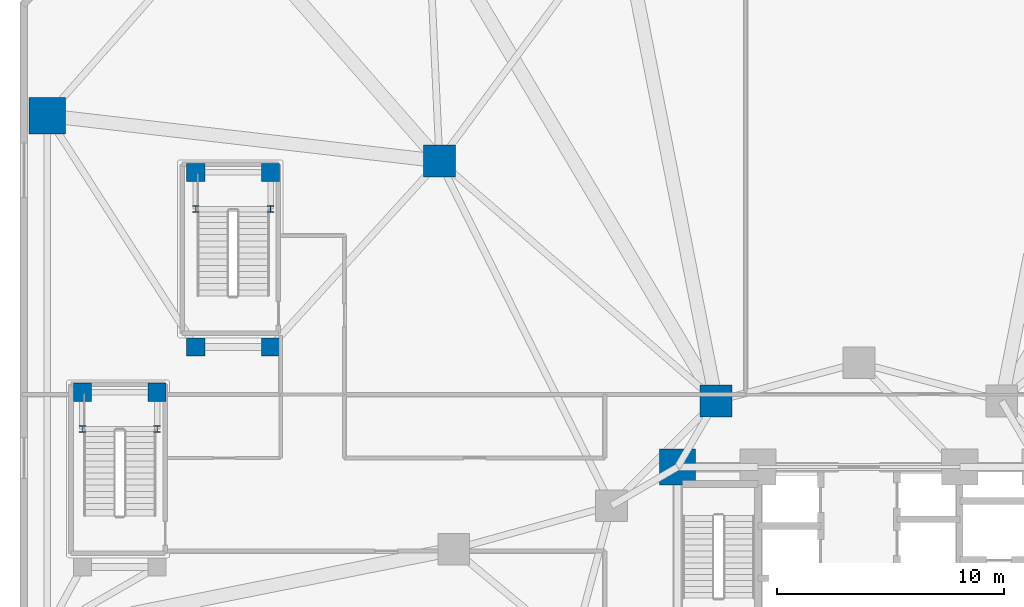
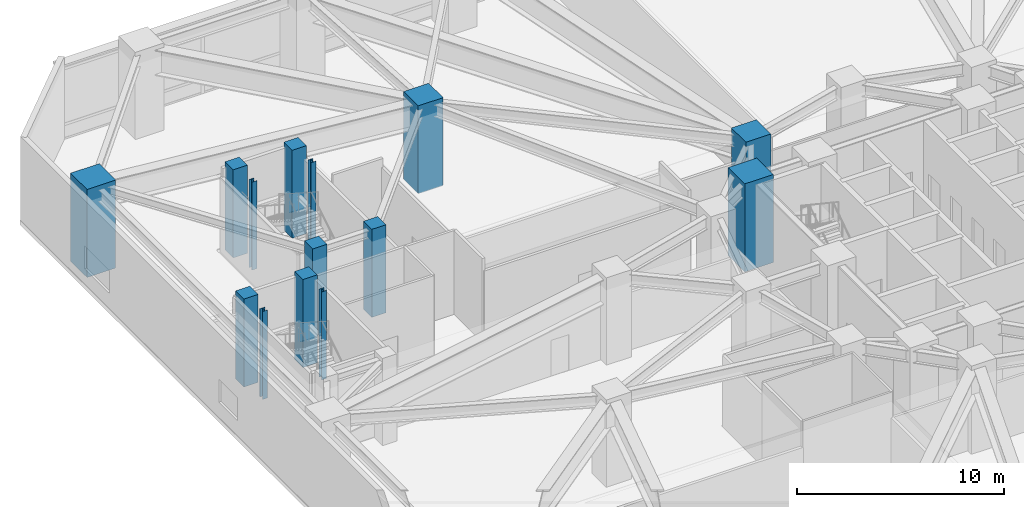
# One storey, part 2 of 27: 14 columns.
"""IFC4 building model written with IfcOpenShell, lengths in metres."""

from ifc_helpers import new_model, si_unit, direction, frame, origin, origin_2d, place, context, subcontext, project, spatial, rectangle, i_section, extrude, material, material_profile, profile_set, type_object, element, save


model = new_model("IFC4")

# Units and contexts
model_context = context("Model", 3, precision=1e-05, world=origin(), true_north=direction((0.0, 1.0)))
body_context = subcontext(model_context, "Body", "Model", "MODEL_VIEW")
ifc_project = project(units=[si_unit("LENGTHUNIT", "METRE"), si_unit("AREAUNIT", "SQUARE_METRE"), si_unit("VOLUMEUNIT", "CUBIC_METRE"), si_unit("PLANEANGLEUNIT", "RADIAN"), si_unit("MASSUNIT", "GRAM", prefix="KILO")], contexts=[model_context])

# Site, building, storey
site_placement = place(None, origin())
site = spatial("IfcSite", under=ifc_project, at=site_placement, CompositionType="ELEMENT")
building_placement = place(site_placement, origin())
building = spatial("IfcBuilding", under=site, at=building_placement, Name="Terralouvre Media Tower", CompositionType="ELEMENT")
storey_placement = place(building_placement, frame((0.0, 0.0, 5.199951171875)))
storey = spatial("IfcBuildingStorey", under=building, at=storey_placement, Name="L01", CompositionType="ELEMENT", Elevation=5.199951171875)

# Columns
ifc_material_1 = material(Name="Structural steel S355J2", Category="steel")
ifc_material_profile_1 = material_profile(ifc_material_1, i_section(OverallWidth=0.280029296875, OverallDepth=0.280029296875, WebThickness=0.010498046875, FlangeThickness=0.01806640625, at=origin_2d()), Name="HEB 280")
ifc_profile_set_1 = profile_set([ifc_material_profile_1], Name="Structural steel S355J2")
column_type_1 = type_object("IfcColumnType", Name="Basement Aisle Pilaster PL-HEB280 (HEB 280)", PredefinedType="PILASTER", material=ifc_profile_set_1)
for number, where, z_axis, x_axis, name in (
    (1, (-34.25, 9.679931640625, 0.0), (0.0, 0.0, 1.0), (1.0, 0.0, 0.0), "L01 Stair Half-Landing Post ST3CLP1"),
    (2, (-30.949951171875, 9.679931640625, 0.0), (0.0, 0.0, 1.0), (1.0, 0.0, 0.0), "L01 Stair Half-Landing Post ST3CLP2"),
    (3, (-29.25, 19.3798828125, 0.0), (0.0, 0.0, 1.0), (1.0, 0.0, 0.0), "L01 Stair Half-Landing Post ST6CLP1"),
    (4, (-25.949951171875, 19.3798828125, 0.0), (0.0, 0.0, 1.0), (1.0, 0.0, 0.0), "L01 Stair Half-Landing Post ST6CLP2"),
):
    element("IfcColumn", number, at=place(storey_placement, frame(where, z_axis=z_axis, x_axis=x_axis)), inside=storey, type_object=column_type_1, Name=name, PredefinedType="PILASTER", context=body_context, shape_type="SweptSolid", body=[
        extrude(i_section(OverallWidth=0.280029296875, OverallDepth=0.280029296875, WebThickness=0.010498046875, FlangeThickness=0.01806640625, at=origin_2d()), origin(), (0.0, 0.0, 1.0), 5.199951171875),
    ])
ifc_material_2 = material(Name="Concrete C60/75", Category="concrete")
ifc_material_profile_2 = material_profile(ifc_material_2, rectangle(XDim=1.39990234375, YDim=1.39990234375, at=origin_2d()), Name="RC 1400x1400")
ifc_profile_set_2 = profile_set([ifc_material_profile_2], Name="Concrete C60/75")
column_type_2 = type_object("IfcColumnType", Name="Structural Column C-RC1400 (RC 1400x1400)", PredefinedType="COLUMN", material=ifc_profile_set_2)
for number, where, z_axis, x_axis, name in (
    (5, (-6.300048828125, 10.911865234375, 0.0), (0.0, 0.0, 1.0), (1.0, 0.0, 0.0), "L01 Mega-Frame Column MC05"),
    (6, (-18.5, 21.5, 0.0), (0.0, 0.0, 1.0), (1.0, 0.0, 0.0), "L01 Podium Transfer Column PM19"),
):
    element("IfcColumn", number, at=place(storey_placement, frame(where, z_axis=z_axis, x_axis=x_axis)), inside=storey, type_object=column_type_2, Name=name, PredefinedType="COLUMN", context=body_context, shape_type="SweptSolid", body=[
        extrude(rectangle(XDim=1.39990234375, YDim=1.39990234375, at=origin_2d()), origin(), (0.0, 0.0, 1.0), 5.199951171875),
    ])
ifc_material_3 = material(Name="Concrete C60/75", Category="concrete")
ifc_material_profile_3 = material_profile(ifc_material_3, rectangle(XDim=1.60009765625, YDim=1.60009765625, at=origin_2d()), Name="RC 1600x1600")
ifc_profile_set_3 = profile_set([ifc_material_profile_3], Name="Concrete C60/75")
column_type_3 = type_object("IfcColumnType", Name="Structural Column C-RC1600 (RC 1600x1600)", PredefinedType="COLUMN", material=ifc_profile_set_3)
for number, where, z_axis, x_axis, name in (
    (7, (-8.0, 8.0, 0.0), (0.0, 0.0, 1.0), (1.0, 0.0, 0.0), "L01 Core Pilaster Column CP7"),
    (8, (-35.800048828125, 23.5, 0.0), (0.0, 0.0, 1.0), (1.0, 0.0, 0.0), "L01 Perimeter Mega-Column PM16"),
):
    element("IfcColumn", number, at=place(storey_placement, frame(where, z_axis=z_axis, x_axis=x_axis)), inside=storey, type_object=column_type_3, Name=name, PredefinedType="COLUMN", context=body_context, shape_type="SweptSolid", body=[
        extrude(rectangle(XDim=1.60009765625, YDim=1.60009765625, at=origin_2d()), origin(), (0.0, 0.0, 1.0), 5.199951171875),
    ])
ifc_material_4 = material(Name="Concrete C50/60", Category="concrete")
ifc_material_profile_4 = material_profile(ifc_material_4, rectangle(XDim=0.800048828125, YDim=0.800048828125, at=origin_2d()), Name="RC 800x800")
ifc_profile_set_4 = profile_set([ifc_material_profile_4], Name="Concrete C50/60")
column_type_4 = type_object("IfcColumnType", Name="Structural Column C-RC800 (RC 800x800)", PredefinedType="COLUMN", material=ifc_profile_set_4)
for number, where, z_axis, x_axis, name in (
    (9, (-30.949951171875, 11.300048828125, 0.0), (0.0, 0.0, 1.0), (1.0, 0.0, 0.0), "L01 Stair Pavilion Support Column ST3C3"),
    (10, (-34.25, 11.300048828125, 0.0), (0.0, 0.0, 1.0), (1.0, 0.0, 0.0), "L01 Stair Pavilion Support Column ST3C4"),
    (11, (-29.25, 13.300048828125, 0.0), (0.0, 0.0, 1.0), (1.0, 0.0, 0.0), "L01 Stair Pavilion Support Column ST6C1"),
    (12, (-25.949951171875, 13.300048828125, 0.0), (0.0, 0.0, 1.0), (1.0, 0.0, 0.0), "L01 Stair Pavilion Support Column ST6C2"),
    (13, (-25.949951171875, 21.0, 0.0), (0.0, 0.0, 1.0), (1.0, 0.0, 0.0), "L01 Stair Pavilion Support Column ST6C3"),
    (14, (-29.25, 21.0, 0.0), (0.0, 0.0, 1.0), (1.0, 0.0, 0.0), "L01 Stair Pavilion Support Column ST6C4"),
):
    element("IfcColumn", number, at=place(storey_placement, frame(where, z_axis=z_axis, x_axis=x_axis)), inside=storey, type_object=column_type_4, Name=name, PredefinedType="COLUMN", context=body_context, shape_type="SweptSolid", body=[
        extrude(rectangle(XDim=0.800048828125, YDim=0.800048828125, at=origin_2d()), origin(), (0.0, 0.0, 1.0), 5.199951171875),
    ])

save(model, "model.ifc")
